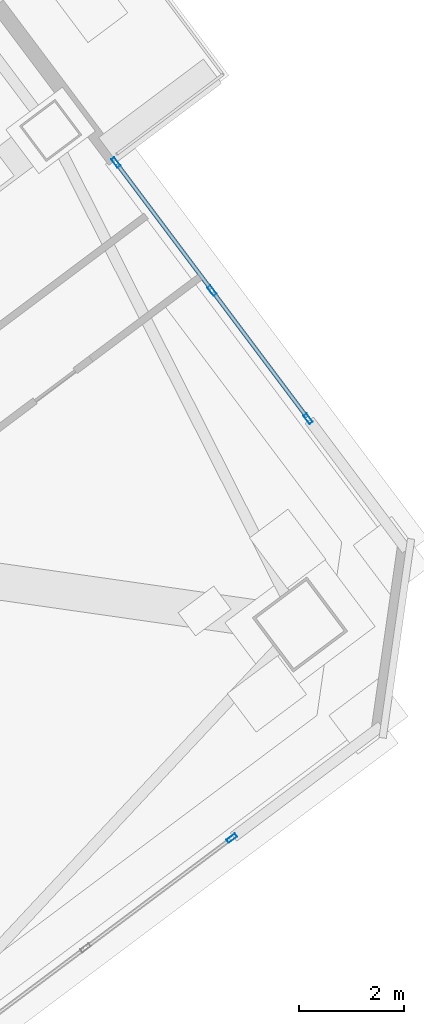
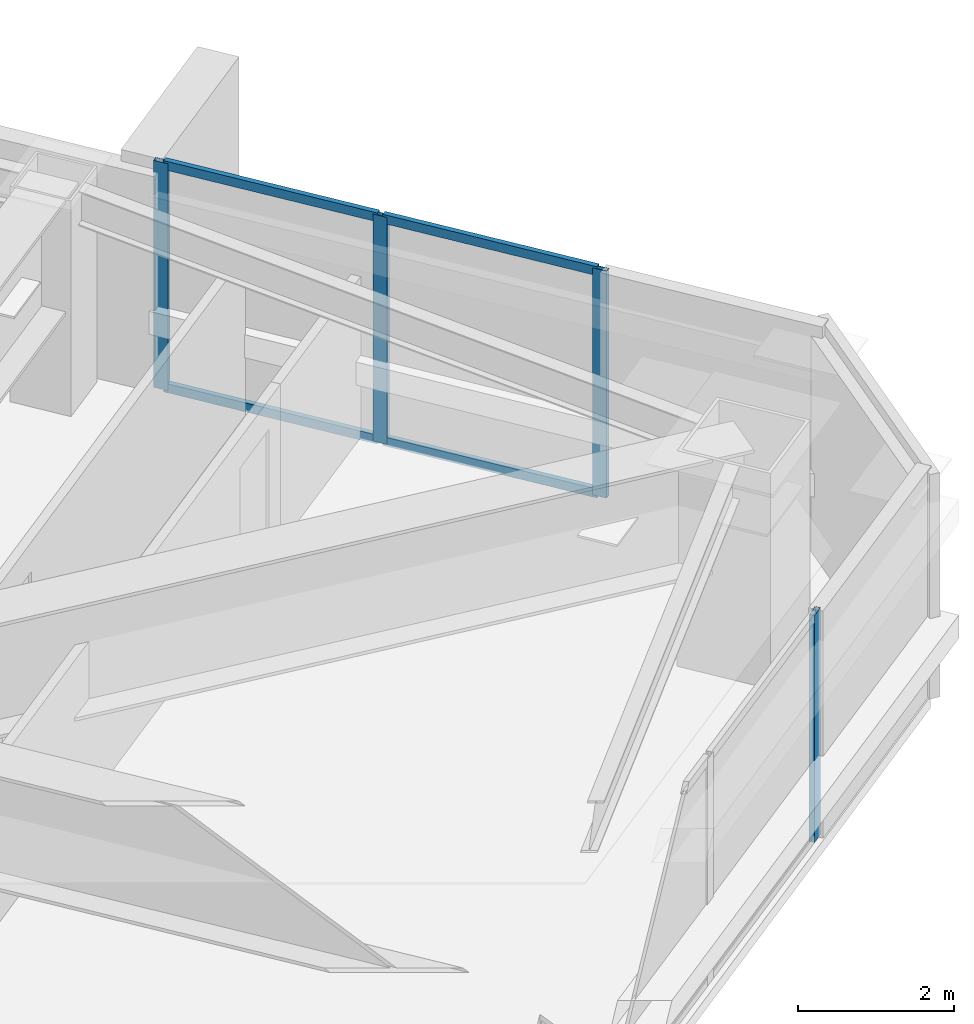
# One storey, part 25 of 42: 8 members, 2 elements without a shape of their own.
"""IFC4 building model written with IfcOpenShell, lengths in metres."""

from ifc_helpers import new_model, si_unit, direction, frame, origin, origin_2d, place, context, subcontext, project, spatial, hollow_rectangle, extrude, material, material_profile, profile_set, type_object, element, aggregate, save


model = new_model("IFC4")

# Units and contexts
model_context = context("Model", 3, precision=1e-05, world=origin(), true_north=direction((0.0, 1.0)))
body_context = subcontext(model_context, "Body", "Model", "MODEL_VIEW")
ifc_project = project(units=[si_unit("LENGTHUNIT", "METRE"), si_unit("AREAUNIT", "SQUARE_METRE"), si_unit("VOLUMEUNIT", "CUBIC_METRE"), si_unit("PLANEANGLEUNIT", "RADIAN"), si_unit("MASSUNIT", "GRAM", prefix="KILO")], contexts=[model_context])

# Site, building, storey
site_placement = place(None, origin())
site = spatial("IfcSite", under=ifc_project, at=site_placement, CompositionType="ELEMENT")
building_placement = place(site_placement, origin())
building = spatial("IfcBuilding", under=site, at=building_placement, Name="Tashvorn Skyway Center", CompositionType="ELEMENT")
storey_placement = place(building_placement, frame((0.0, 0.0, 153.449951171875)))
storey = spatial("IfcBuildingStorey", under=building, at=storey_placement, Name="L41", CompositionType="ELEMENT", Elevation=153.449951171875)

# Curtain wall, member
ifc_material = material(Name="Thermally broken bronze-anodized aluminium 6063-T6", Category="aluminium")
curtain_wall_type = type_object("IfcCurtainWallType", Name="CW-CW-Z3", PredefinedType="NOTDEFINED", material=ifc_material)
curtain_wall_1_placement = place(storey_placement, origin())
curtain_wall_1 = element("IfcCurtainWall", 1, at=curtain_wall_1_placement, inside=storey, type_object=curtain_wall_type, Name="Tower 2 L41 South Unitised Curtain Wall Glazing Group 1", PredefinedType="NOTDEFINED")
ifc_material_profile_1 = material_profile(ifc_material, hollow_rectangle(XDim=0.074951171875, YDim=0.199951171875, WallThickness=0.00439453125, at=origin_2d()), Name="ALU-MULL-75x200")
ifc_profile_set_1 = profile_set([ifc_material_profile_1], Name="Thermally broken bronze-anodized aluminium 6063-T6")
member_type_1 = type_object("IfcMemberType", Name="CWM-CW-Z3", PredefinedType="MULLION", material=ifc_profile_set_1)
member_1_placement = place(storey_placement, frame((134.81884765625, 24.76416015625, 0.0), z_axis=(0.0, 0.0, 1.0), x_axis=(0.600004533995, -0.799996599484, 0.0)))
member_1 = element("IfcMember", 2, at=member_1_placement, type_object=member_type_1, Name="CW-Z3 mullion 1", PredefinedType="MULLION", context=body_context, shape_type="SweptSolid", body=[
    extrude(hollow_rectangle(XDim=0.074951171875, YDim=0.199951171875, WallThickness=0.00439453125, at=origin_2d()), origin(), (0.0, 0.0, 1.0), 3.550048828125),
])
aggregate(curtain_wall_1, [member_1])

# Curtain wall, members
curtain_wall_2_placement = place(storey_placement, origin())
curtain_wall_2 = element("IfcCurtainWall", 3, at=curtain_wall_2_placement, inside=storey, type_object=curtain_wall_type, Name="Tower 2 L41 East Curtain Wall R Glazing Group 1", PredefinedType="NOTDEFINED")
member_2_placement = place(storey_placement, frame((132.6064453125, 37.657958984375, 0.0), z_axis=(0.0, 0.0, 1.0), x_axis=(0.799998060333, 0.600002586214, 0.0)))
member_2 = element("IfcMember", 4, at=member_2_placement, type_object=member_type_1, Name="CW-Z3 mullion 1", PredefinedType="MULLION", context=body_context, shape_type="SweptSolid", body=[
    extrude(hollow_rectangle(XDim=0.074951171875, YDim=0.199951171875, WallThickness=0.00439453125, at=origin_2d()), origin(), (0.0, 0.0, 1.0), 3.550048828125),
])
member_3_placement = place(storey_placement, frame((134.43994140625, 35.21337890625, 0.0), z_axis=(0.0, 0.0, 1.0), x_axis=(0.799998060333, 0.600002586214, 0.0)))
member_3 = element("IfcMember", 5, at=member_3_placement, type_object=member_type_1, Name="CW-Z3 mullion 2", PredefinedType="MULLION", context=body_context, shape_type="SweptSolid", body=[
    extrude(hollow_rectangle(XDim=0.074951171875, YDim=0.199951171875, WallThickness=0.00439453125, at=origin_2d()), origin(), (0.0, 0.0, 1.0), 3.550048828125),
])
member_4_placement = place(storey_placement, frame((136.2734375, 32.768798828125, 0.0), z_axis=(0.0, 0.0, 1.0), x_axis=(0.799998060333, 0.600002586214, 0.0)))
member_4 = element("IfcMember", 6, at=member_4_placement, type_object=member_type_1, Name="CW-Z3 mullion 3", PredefinedType="MULLION", context=body_context, shape_type="SweptSolid", body=[
    extrude(hollow_rectangle(XDim=0.074951171875, YDim=0.199951171875, WallThickness=0.00439453125, at=origin_2d()), origin(), (0.0, 0.0, 1.0), 3.550048828125),
])
ifc_material_profile_2 = material_profile(ifc_material, hollow_rectangle(XDim=0.074951171875, YDim=0.139892578125, WallThickness=0.004150390625, at=origin_2d()), Name="ALU-TRAN-75x140")
ifc_profile_set_2 = profile_set([ifc_material_profile_2], Name="Thermally broken bronze-anodized aluminium 6063-T6")
member_type_2 = type_object("IfcMemberType", Name="CWT-CW-Z3", PredefinedType="USERDEFINED", material=ifc_profile_set_2)
member_5_placement = place(storey_placement, frame((132.62890625, 37.6279296875, 0.03759765625), z_axis=(0.600039313891, -0.799970513073, 0.0), x_axis=(0.799970513073, 0.600039313891, 0.0)))
member_5 = element("IfcMember", 7, at=member_5_placement, type_object=member_type_2, Name="CW-Z3 transom 1.1", ObjectType="TRANSOM", PredefinedType="USERDEFINED", context=body_context, shape_type="SweptSolid", body=[
    extrude(hollow_rectangle(XDim=0.074951171875, YDim=0.139892578125, WallThickness=0.004150390625, at=origin_2d()), origin(), (0.0, 0.0, 1.0), 2.980712890625),
])
member_6_placement = place(storey_placement, frame((132.62890625, 37.6279296875, 3.512451171875), z_axis=(0.600039313891, -0.799970513073, 0.0), x_axis=(0.799970513073, 0.600039313891, 0.0)))
member_6 = element("IfcMember", 8, at=member_6_placement, type_object=member_type_2, Name="CW-Z3 transom 1.2", ObjectType="TRANSOM", PredefinedType="USERDEFINED", context=body_context, shape_type="SweptSolid", body=[
    extrude(hollow_rectangle(XDim=0.074951171875, YDim=0.139892578125, WallThickness=0.004150390625, at=origin_2d()), origin(), (0.0, 0.0, 1.0), 2.980712890625),
])
member_7_placement = place(storey_placement, frame((134.46240234375, 35.183349609375, 0.03759765625), z_axis=(0.6, -0.8, 0.0), x_axis=(0.8, 0.6, 0.0)))
member_7 = element("IfcMember", 9, at=member_7_placement, type_object=member_type_2, Name="CW-Z3 transom 2.1", ObjectType="TRANSOM", PredefinedType="USERDEFINED", context=body_context, shape_type="SweptSolid", body=[
    extrude(hollow_rectangle(XDim=0.074951171875, YDim=0.139892578125, WallThickness=0.004150390625, at=origin_2d()), origin(), (0.0, 0.0, 1.0), 2.98095703125),
])
member_8_placement = place(storey_placement, frame((134.46240234375, 35.183349609375, 3.512451171875), z_axis=(0.6, -0.8, 0.0), x_axis=(0.8, 0.6, 0.0)))
member_8 = element("IfcMember", 10, at=member_8_placement, type_object=member_type_2, Name="CW-Z3 transom 2.2", ObjectType="TRANSOM", PredefinedType="USERDEFINED", context=body_context, shape_type="SweptSolid", body=[
    extrude(hollow_rectangle(XDim=0.074951171875, YDim=0.139892578125, WallThickness=0.004150390625, at=origin_2d()), origin(), (0.0, 0.0, 1.0), 2.98095703125),
])
aggregate(curtain_wall_2, [member_2, member_3, member_4, member_5, member_6, member_7, member_8])

save(model, "model.ifc")
